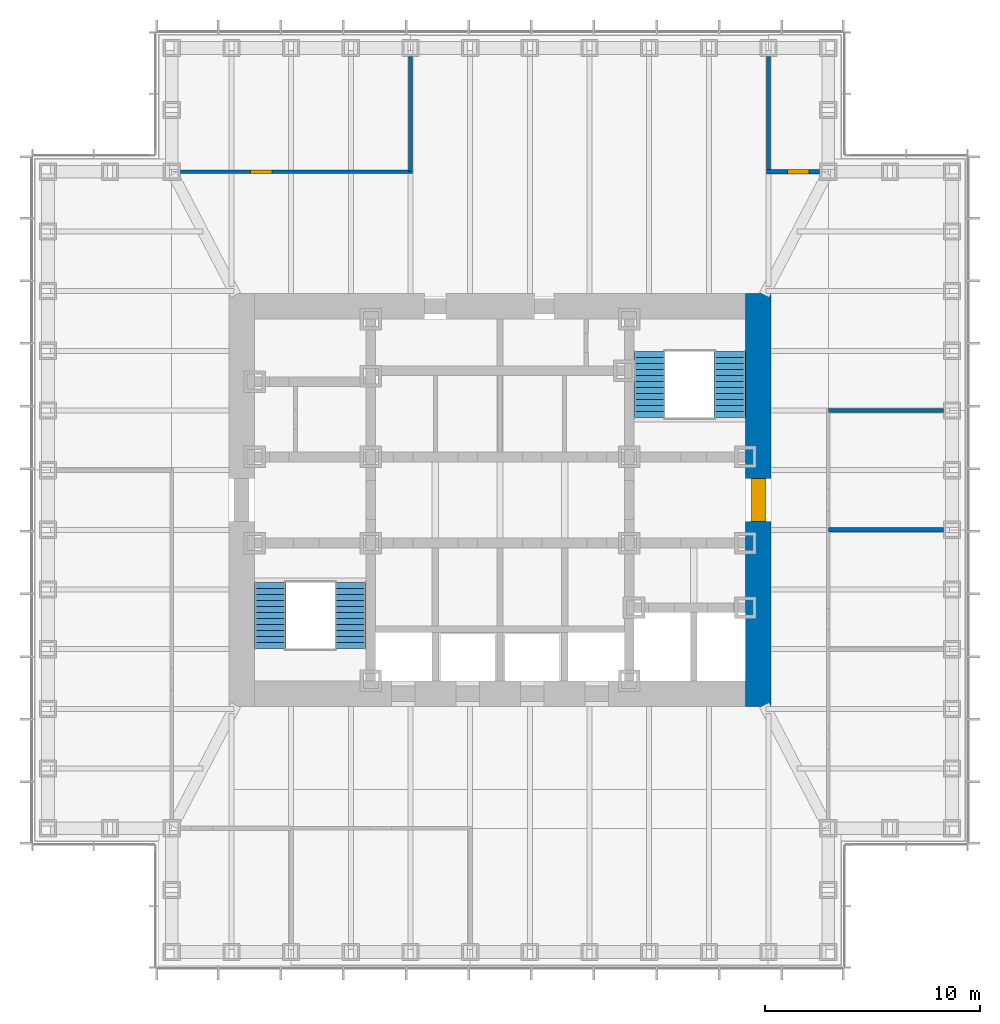
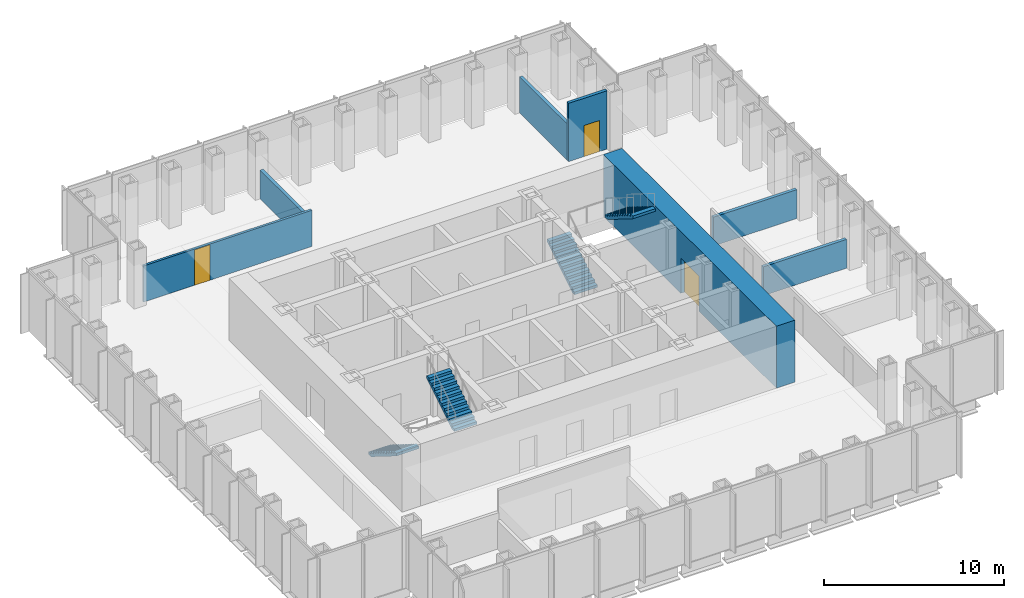
# One storey, part 10 of 16: 7 walls, 4 stair flights, 3 doors, 3 openings, 2 elements without a shape of their own.
"""IFC4 building model written with IfcOpenShell, lengths in metres."""

from ifc_helpers import new_model, si_unit, direction, frame, frame_2d, origin, place, context, subcontext, project, spatial, polyline, rectangle, outline, extrude, material, layer, layer_set, type_object, element, fill, aggregate, save


model = new_model("IFC4")

# Units and contexts
model_context = context("Model", 3, precision=1e-05, world=origin(), true_north=direction((0.0, 1.0)))
body_context = subcontext(model_context, "Body", "Model", "MODEL_VIEW")
ifc_project = project(units=[si_unit("LENGTHUNIT", "METRE"), si_unit("AREAUNIT", "SQUARE_METRE"), si_unit("VOLUMEUNIT", "CUBIC_METRE"), si_unit("PLANEANGLEUNIT", "RADIAN"), si_unit("MASSUNIT", "GRAM", prefix="KILO")], contexts=[model_context])

# Site, building, storey
site_placement = place(None, origin())
site = spatial("IfcSite", under=ifc_project, at=site_placement, CompositionType="ELEMENT")
building_placement = place(site_placement, origin())
building = spatial("IfcBuilding", under=site, at=building_placement, Name="Daluyong Arena Tower", CompositionType="ELEMENT")
storey_placement = place(building_placement, frame((0.0, 0.0, 275.5)))
storey = spatial("IfcBuildingStorey", under=building, at=storey_placement, Name="L62", CompositionType="ELEMENT", Elevation=275.5)

# Wall, opening, door
ifc_material_1 = material(Name="Concrete fc' 60 MPa", Category="concrete")
ifc_layer_1 = layer(ifc_material_1, 1.199951171875)
ifc_layer_set_1 = layer_set([ifc_layer_1], Name="Concrete fc' 60 MPa")
wall_type_1 = type_object("IfcWallType", Name="Core wall 1200", PredefinedType="SHEAR", material=ifc_layer_set_1)
wall_1_placement = place(storey_placement, frame((68.0, 70.39990234375, 0.0), z_axis=(0.0, 0.0, 1.0), x_axis=(0.0, 1.0, 0.0)))
wall_1 = element("IfcWall", 1, at=wall_1_placement, inside=storey, type_object=wall_type_1, Name="core wall at L62", PredefinedType="SHEAR", context=body_context, shape_type="SweptSolid", body=[
    extrude(rectangle(XDim=19.2001953125, YDim=1.199951171875, at=frame_2d((9.60009765625, 0.0))), origin(), (0.0, 0.0, 1.0), 4.199951171875),
])
opening_1_placement = place(wall_1_placement, frame((8.60009765625, 0.0, 0.0)))
opening_1 = element("IfcOpeningElement", 2, at=opening_1_placement, cuts=wall_1, Name="Opening 62018", PredefinedType="OPENING", context=body_context, shape_type="SweptSolid", body=[
    extrude(rectangle(XDim=2.0, YDim=2.39990234375, at=frame_2d((1.0, 1.199951171875))), frame((0.0, 0.60986328125, 0.0), z_axis=(0.0, -1.0, 0.0), x_axis=(1.0, 0.0, 0.0)), (0.0, 0.0, 1.0), 1.219970703125),
])
ifc_material_2 = material(Name="Steel door, fire rated", Category="steel")
door_type_1 = type_object("IfcDoorType", Name="Core lobby double door 2000", OperationType="DOUBLE_DOOR_SINGLE_SWING", PredefinedType="DOOR", material=ifc_material_2)
door_1_placement = place(opening_1_placement, origin())
door_1 = element("IfcDoor", 3, at=door_1_placement, inside=storey, type_object=door_type_1, Name="core lobby door east 62018", OperationType="DOUBLE_DOOR_SINGLE_SWING", OverallHeight=2.39990234375, OverallWidth=2.0, PredefinedType="DOOR", context=body_context, shape_type="SweptSolid", body=[
    extrude(rectangle(XDim=2.0, YDim=2.39990234375, at=frame_2d((1.0, 1.199951171875))), frame((0.0, 0.35009765625, 0.0), z_axis=(0.0, -1.0, 0.0), x_axis=(1.0, 0.0, 0.0)), (0.0, 0.0, 1.0), 0.699951171875),
])
fill(opening_1, door_1)

ifc_material_3 = material(Name="Glazed aluminium partition", Category="aluminium")
ifc_layer_2 = layer(ifc_material_3, 0.14990234375)
ifc_layer_set_2 = layer_set([ifc_layer_2], Name="Glazed aluminium partition")
wall_type_2 = type_object("IfcWallType", Name="Glazed partition 150", PredefinedType="PARTITIONING", material=ifc_layer_set_2)
wall_2_placement = place(storey_placement, frame((41.14990234375, 95.25, 0.0), z_axis=(0.0, 0.0, 1.0), x_axis=(1.0, 0.0, 0.0)))
wall_2 = element("IfcWall", 4, at=wall_2_placement, inside=storey, type_object=wall_type_2, Name="glazed partition at L62", PredefinedType="PARTITIONING", context=body_context, shape_type="SweptSolid", body=[
    extrude(rectangle(XDim=10.791015625, YDim=0.14990234375, at=frame_2d((5.3955078125, 0.0))), origin(), (0.0, 0.0, 1.0), 2.449951171875),
])
opening_2_placement = place(wall_2_placement, frame((3.259033203125, 0.0, 0.0)))
opening_2 = element("IfcOpeningElement", 5, at=opening_2_placement, cuts=wall_2, Name="Opening 62033", PredefinedType="OPENING", context=body_context, shape_type="SweptSolid", body=[
    extrude(rectangle(XDim=1.0, YDim=2.39990234375, at=frame_2d((0.5, 1.199951171875))), frame((0.0, 0.0849609375, 0.0), z_axis=(0.0, -1.0, 0.0), x_axis=(1.0, 0.0, 0.0)), (0.0, 0.0, 1.0), 0.169921875),
])
ifc_material_4 = material(Name="Glazed aluminium door", Category="aluminium")
door_type_2 = type_object("IfcDoorType", Name="Meeting room glazed door 1000", OperationType="SINGLE_SWING_RIGHT", PredefinedType="DOOR", material=ifc_material_4)
door_2_placement = place(opening_2_placement, origin())
door_2 = element("IfcDoor", 6, at=door_2_placement, inside=storey, type_object=door_type_2, Name="executive lounge door 62033", OperationType="SINGLE_SWING_RIGHT", OverallHeight=2.39990234375, OverallWidth=1.0, PredefinedType="DOOR", context=body_context, shape_type="SweptSolid", body=[
    extrude(rectangle(XDim=1.0, YDim=2.39990234375, at=frame_2d((0.5, 1.199951171875))), frame((0.0, 0.07470703125, 0.0), z_axis=(0.0, -1.0, 0.0), x_axis=(1.0, 0.0, 0.0)), (0.0, 0.0, 1.0), 0.1494140625),
])
fill(opening_2, door_2)

# Walls
ifc_material_5 = material(Name="Concrete block partition", Category="concrete")
ifc_layer_3 = layer(ifc_material_5, 0.199951171875)
ifc_layer_set_3 = layer_set([ifc_layer_3], Name="Concrete block partition")
wall_type_3 = type_object("IfcWallType", Name="Partition 200", PredefinedType="PARTITIONING", material=ifc_layer_set_3)
for number, where, z_axis, x_axis, name in (
    (7, (71.25, 78.613525390625, 0.0), (0.0, 0.0, 1.0), (1.0, 0.0, 0.0), "partition at L62"),
    (8, (71.25, 84.1591796875, 0.0), (0.0, 0.0, 1.0), (1.0, 0.0, 0.0), "partition at L62"),
    (9, (51.8408203125, 95.25, 0.0), (0.0, 0.0, 1.0), (0.0, 1.0, 0.0), "partition at L62"),
):
    element("IfcWall", number, at=place(storey_placement, frame(where, z_axis=z_axis, x_axis=x_axis)), inside=storey, type_object=wall_type_3, Name=name, PredefinedType="PARTITIONING", context=body_context, shape_type="SweptSolid", body=[
        extrude(rectangle(XDim=5.35009765625, YDim=0.199951171875, at=frame_2d((2.675048828125, 0.0))), origin(), (0.0, 0.0, 1.0), 1.949951171875),
    ])
wall_3_placement = place(storey_placement, frame((68.477294921875, 95.25, 0.0), z_axis=(0.0, 0.0, 1.0), x_axis=(0.0, 1.0, 0.0)))
element("IfcWall", 10, at=wall_3_placement, inside=storey, type_object=wall_type_3, Name="partition at L62", PredefinedType="PARTITIONING", context=body_context, shape_type="SweptSolid", body=[
    extrude(rectangle(XDim=5.35009765625, YDim=0.199951171875, at=frame_2d((2.675048828125, 0.0))), origin(), (0.0, 0.0, 1.0), 2.449951171875),
])

# Wall, opening, door
wall_4_placement = place(storey_placement, frame((68.377197265625, 95.25, 0.0), z_axis=(0.0, 0.0, 1.0), x_axis=(1.0, 0.0, 0.0)))
wall_4 = element("IfcWall", 11, at=wall_4_placement, inside=storey, type_object=wall_type_3, Name="partition at L62", PredefinedType="PARTITIONING", context=body_context, shape_type="SweptSolid", body=[
    extrude(rectangle(XDim=2.472900390625, YDim=0.199951171875, at=frame_2d((1.236328125, 0.0))), origin(), (0.0, 0.0, 1.0), 3.949951171875),
])
opening_3_placement = place(wall_4_placement, frame((0.986328125, 0.0, 0.0)))
opening_3 = element("IfcOpeningElement", 12, at=opening_3_placement, cuts=wall_4, Name="Opening 62034", PredefinedType="OPENING", context=body_context, shape_type="SweptSolid", body=[
    extrude(rectangle(XDim=1.0, YDim=2.10009765625, at=frame_2d((0.5, 1.050048828125))), frame((0.0, 0.10986328125, 0.0), z_axis=(0.0, -1.0, 0.0), x_axis=(1.0, 0.0, 0.0)), (0.0, 0.0, 1.0), 0.219970703125),
])
ifc_material_6 = material(Name="Timber door", Category="wood")
door_type_3 = type_object("IfcDoorType", Name="Room door 1000", OperationType="SINGLE_SWING_LEFT", PredefinedType="DOOR", material=ifc_material_6)
door_3_placement = place(opening_3_placement, origin())
door_3 = element("IfcDoor", 13, at=door_3_placement, inside=storey, type_object=door_type_3, Name="wellness room door 62034", OperationType="SINGLE_SWING_LEFT", OverallHeight=2.10009765625, OverallWidth=1.0, PredefinedType="DOOR", context=body_context, shape_type="SweptSolid", body=[
    extrude(rectangle(XDim=1.0, YDim=2.10009765625, at=frame_2d((0.5, 1.050048828125))), frame((0.0, 0.099609375, 0.0), z_axis=(0.0, -1.0, 0.0), x_axis=(1.0, 0.0, 0.0)), (0.0, 0.0, 1.0), 0.199462890625),
])
fill(opening_3, door_3)

# Stair, stair flights
ifc_material_7 = material(Name="Concrete fc' 35 MPa", Category="concrete")
stair_type = type_object("IfcStairType", Name="Core exit stair", PredefinedType="HALF_TURN_STAIR", material=ifc_material_7)
stair_1_placement = place(storey_placement, origin())
stair_1 = element("IfcStair", 14, at=stair_1_placement, inside=storey, type_object=stair_type, Name="exit stair A L62", PredefinedType="HALF_TURN_STAIR")
ifc_material_8 = material(Name="Concrete fc' 35 MPa", Category="concrete")
stair_flight_type = type_object("IfcStairFlightType", Name="Core stair flight", PredefinedType="STRAIGHT", material=ifc_material_8)
stair_flight_1_placement = place(storey_placement, frame((45.324951171875, 76.175048828125, 0.0), z_axis=(0.0, 0.0, 1.0), x_axis=(0.0, -1.0, 0.0)))
stair_flight_1 = element("IfcStairFlight", 15, at=stair_flight_1_placement, type_object=stair_flight_type, Name="STA flight 1", NumberOfRisers=12, NumberOfTreads=11, PredefinedType="STRAIGHT", RiserHeight=0.175, TreadLength=0.28, context=body_context, shape_type="SweptSolid", body=[
    extrude(outline(polyline([(0.0, 0.0), (0.0, 0.175048828125), (0.280029296875, 0.175048828125), (0.280029296875, 0.35009765625), (0.56005859375, 0.35009765625), (0.56005859375, 0.52490234375), (0.840087890625, 0.52490234375), (0.840087890625, 0.699951171875), (1.1201171875, 0.699951171875), (1.1201171875, 0.875), (1.39990234375, 0.875), (1.39990234375, 1.050048828125), (1.679931640625, 1.050048828125), (1.679931640625, 1.22509765625), (1.9599609375, 1.22509765625), (1.9599609375, 1.39990234375), (2.239990234375, 1.39990234375), (2.239990234375, 1.574951171875), (2.52001953125, 1.574951171875), (2.52001953125, 1.75), (2.800048828125, 1.75), (2.800048828125, 1.925048828125), (3.080078125, 1.925048828125), (3.080078125, 2.10009765625), (3.080078125, 1.748291015625), (0.28271484375, 0.0), (0.0, 0.0)])), frame((0.0, 0.72509765625, 0.0), z_axis=(0.0, -1.0, 0.0), x_axis=(1.0, 0.0, 0.0)), (0.0, 0.0, 1.0), 1.449951171875),
])
stair_flight_2_placement = place(storey_placement, frame((49.050048828125, 73.094970703125, 2.10009765625), z_axis=(0.0, 0.0, 1.0), x_axis=(0.0, 1.0, 0.0)))
stair_flight_2 = element("IfcStairFlight", 16, at=stair_flight_2_placement, type_object=stair_flight_type, Name="STA flight 2", NumberOfRisers=12, NumberOfTreads=11, PredefinedType="STRAIGHT", RiserHeight=0.175, TreadLength=0.28, context=body_context, shape_type="SweptSolid", body=[
    extrude(outline(polyline([(0.0, 0.0), (0.0, 0.175048828125), (0.280029296875, 0.175048828125), (0.280029296875, 0.35009765625), (0.56005859375, 0.35009765625), (0.56005859375, 0.52490234375), (0.840087890625, 0.52490234375), (0.840087890625, 0.699951171875), (1.1201171875, 0.699951171875), (1.1201171875, 0.875), (1.39990234375, 0.875), (1.39990234375, 1.050048828125), (1.679931640625, 1.050048828125), (1.679931640625, 1.22509765625), (1.9599609375, 1.22509765625), (1.9599609375, 1.39990234375), (2.239990234375, 1.39990234375), (2.239990234375, 1.574951171875), (2.52001953125, 1.574951171875), (2.52001953125, 1.75), (2.800048828125, 1.75), (2.800048828125, 1.925048828125), (3.080078125, 1.925048828125), (3.080078125, 2.10009765625), (3.080078125, 1.748291015625), (0.28271484375, 0.0), (0.0, 0.0)])), frame((0.0, 0.72509765625, 0.0), z_axis=(0.0, -1.0, 0.0), x_axis=(1.0, 0.0, 0.0)), (0.0, 0.0, 1.0), 1.449951171875),
])
aggregate(stair_1, [stair_flight_1, stair_flight_2])

stair_2_placement = place(storey_placement, origin())
stair_2 = element("IfcStair", 17, at=stair_2_placement, inside=storey, type_object=stair_type, Name="exit stair B L62", PredefinedType="HALF_TURN_STAIR")
stair_flight_3_placement = place(storey_placement, frame((62.949951171875, 83.824951171875, 0.0), z_axis=(0.0, 0.0, 1.0), x_axis=(0.0, 1.0, 0.0)))
stair_flight_3 = element("IfcStairFlight", 18, at=stair_flight_3_placement, type_object=stair_flight_type, Name="STB flight 1", NumberOfRisers=12, NumberOfTreads=11, PredefinedType="STRAIGHT", RiserHeight=0.175, TreadLength=0.28, context=body_context, shape_type="SweptSolid", body=[
    extrude(outline(polyline([(0.0, 0.0), (0.0, 0.175048828125), (0.280029296875, 0.175048828125), (0.280029296875, 0.35009765625), (0.56005859375, 0.35009765625), (0.56005859375, 0.52490234375), (0.840087890625, 0.52490234375), (0.840087890625, 0.699951171875), (1.1201171875, 0.699951171875), (1.1201171875, 0.875), (1.39990234375, 0.875), (1.39990234375, 1.050048828125), (1.679931640625, 1.050048828125), (1.679931640625, 1.22509765625), (1.9599609375, 1.22509765625), (1.9599609375, 1.39990234375), (2.239990234375, 1.39990234375), (2.239990234375, 1.574951171875), (2.52001953125, 1.574951171875), (2.52001953125, 1.75), (2.800048828125, 1.75), (2.800048828125, 1.925048828125), (3.080078125, 1.925048828125), (3.080078125, 2.10009765625), (3.080078125, 1.748291015625), (0.28271484375, 0.0), (0.0, 0.0)])), frame((0.0, 0.72509765625, 0.0), z_axis=(0.0, -1.0, 0.0), x_axis=(1.0, 0.0, 0.0)), (0.0, 0.0, 1.0), 1.449951171875),
])
stair_flight_4_placement = place(storey_placement, frame((66.675048828125, 86.905029296875, 2.10009765625), z_axis=(0.0, 0.0, 1.0), x_axis=(0.0, -1.0, 0.0)))
stair_flight_4 = element("IfcStairFlight", 19, at=stair_flight_4_placement, type_object=stair_flight_type, Name="STB flight 2", NumberOfRisers=12, NumberOfTreads=11, PredefinedType="STRAIGHT", RiserHeight=0.175, TreadLength=0.28, context=body_context, shape_type="SweptSolid", body=[
    extrude(outline(polyline([(0.0, 0.0), (0.0, 0.175048828125), (0.280029296875, 0.175048828125), (0.280029296875, 0.35009765625), (0.56005859375, 0.35009765625), (0.56005859375, 0.52490234375), (0.840087890625, 0.52490234375), (0.840087890625, 0.699951171875), (1.1201171875, 0.699951171875), (1.1201171875, 0.875), (1.39990234375, 0.875), (1.39990234375, 1.050048828125), (1.679931640625, 1.050048828125), (1.679931640625, 1.22509765625), (1.9599609375, 1.22509765625), (1.9599609375, 1.39990234375), (2.239990234375, 1.39990234375), (2.239990234375, 1.574951171875), (2.52001953125, 1.574951171875), (2.52001953125, 1.75), (2.800048828125, 1.75), (2.800048828125, 1.925048828125), (3.080078125, 1.925048828125), (3.080078125, 2.10009765625), (3.080078125, 1.748291015625), (0.28271484375, 0.0), (0.0, 0.0)])), frame((0.0, 0.72509765625, 0.0), z_axis=(0.0, -1.0, 0.0), x_axis=(1.0, 0.0, 0.0)), (0.0, 0.0, 1.0), 1.449951171875),
])
aggregate(stair_2, [stair_flight_3, stair_flight_4])

save(model, "model.ifc")
